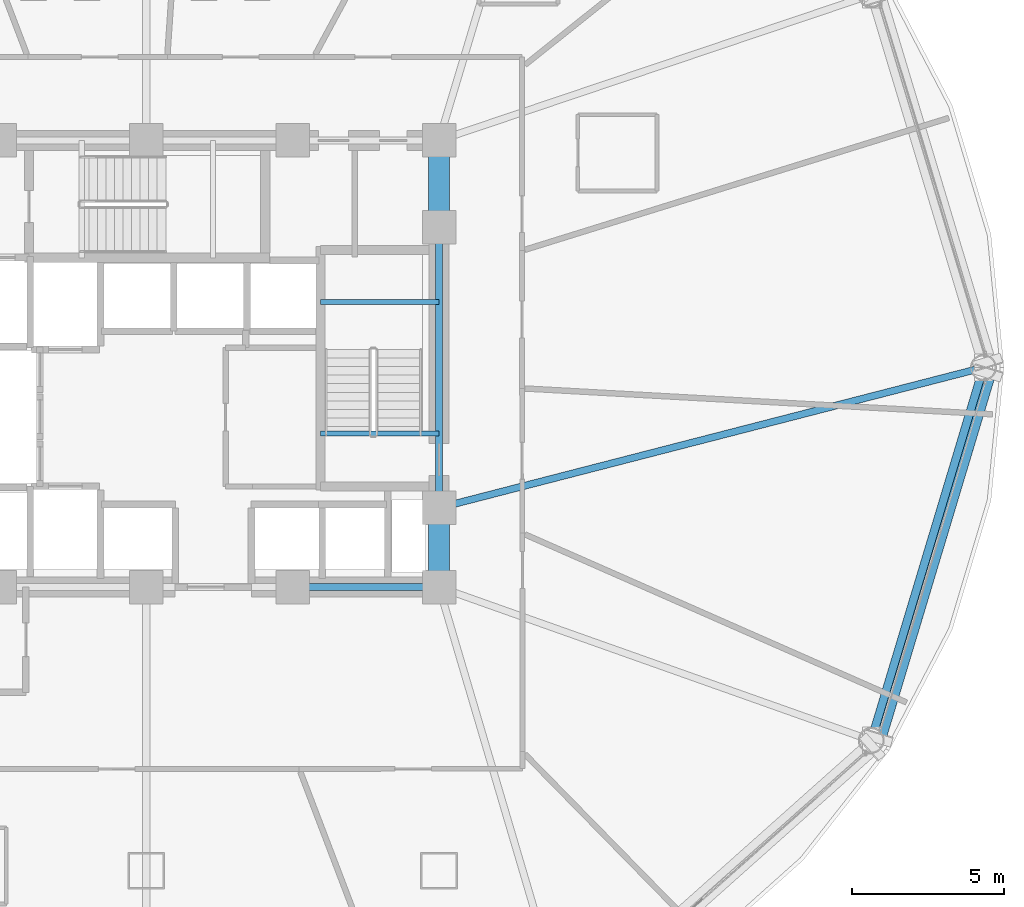
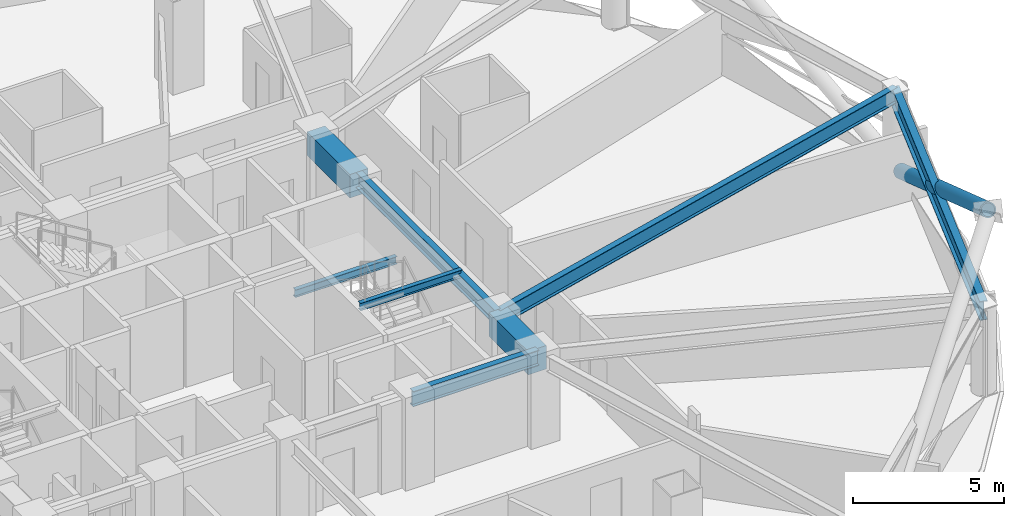
# One storey, part 11 of 30: 8 beams, 1 member.
"""IFC4 building model written with IfcOpenShell, lengths in metres."""

from ifc_helpers import new_model, si_unit, direction, frame, origin, origin_2d, place, context, subcontext, project, spatial, rectangle, hollow_circle, i_section, extrude, material, material_profile, profile_set, type_object, element, save


model = new_model("IFC4")

# Units and contexts
model_context = context("Model", 3, precision=1e-05, world=origin(), true_north=direction((0.0, 1.0)))
body_context = subcontext(model_context, "Body", "Model", "MODEL_VIEW")
ifc_project = project(units=[si_unit("LENGTHUNIT", "METRE"), si_unit("AREAUNIT", "SQUARE_METRE"), si_unit("VOLUMEUNIT", "CUBIC_METRE"), si_unit("PLANEANGLEUNIT", "RADIAN"), si_unit("MASSUNIT", "GRAM", prefix="KILO")], contexts=[model_context])

# Site, building, storey
site_placement = place(None, origin())
site = spatial("IfcSite", under=ifc_project, at=site_placement, CompositionType="ELEMENT")
building_placement = place(site_placement, origin())
building = spatial("IfcBuilding", under=site, at=building_placement, Name="Vantalir Tower", CompositionType="ELEMENT")
storey_placement = place(building_placement, frame((0.0, 0.0, 57.0)))
storey = spatial("IfcBuildingStorey", under=building, at=storey_placement, Name="L13", CompositionType="ELEMENT", Elevation=57.0)

# Beams
ifc_material_1 = material(Name="Concrete C60/75", Category="concrete")
ifc_material_profile_1 = material_profile(ifc_material_1, rectangle(XDim=0.699951171875, YDim=0.949951171875, at=origin_2d()), Name="Concrete C60/75")
ifc_profile_set_1 = profile_set([ifc_material_profile_1], Name="Concrete C60/75")
beam_type_1 = type_object("IfcBeamType", Name="BM-CB-700x950", PredefinedType="USERDEFINED", material=ifc_profile_set_1)
beam_1_placement = place(storey_placement, frame((41.10009765625, 17.800048828125, 3.094970703125), z_axis=(0.0, 1.0, 0.0), x_axis=(-1.0, 0.0, 0.0)))
element("IfcBeam", 1, at=beam_1_placement, inside=storey, type_object=beam_type_1, Name="L13 Core Coupling Girder 05", ObjectType="GIRDER", PredefinedType="USERDEFINED", context=body_context, shape_type="SweptSolid", body=[
    extrude(rectangle(XDim=0.699951171875, YDim=0.949951171875, at=origin_2d()), origin(), (0.0, 0.0, 1.0), 2.599853515625),
])
beam_2_placement = place(storey_placement, frame((41.10009765625, 29.60009765625, 3.094970703125), z_axis=(0.0, 1.0, 0.0), x_axis=(-1.0, 0.0, 0.0)))
element("IfcBeam", 2, at=beam_2_placement, inside=storey, type_object=beam_type_1, Name="L13 Core Coupling Girder 07", ObjectType="GIRDER", PredefinedType="USERDEFINED", context=body_context, shape_type="SweptSolid", body=[
    extrude(rectangle(XDim=0.699951171875, YDim=0.949951171875, at=origin_2d()), origin(), (0.0, 0.0, 1.0), 2.849853515625),
])
ifc_material_2 = material(Name="Steel S355", Category="steel")
ifc_material_profile_2 = material_profile(ifc_material_2, i_section(OverallWidth=0.166015625, OverallDepth=0.306884765625, WebThickness=0.006591796875, FlangeThickness=0.01171875, at=origin_2d()), Name="Steel S355")
ifc_profile_set_2 = profile_set([ifc_material_profile_2], Name="Steel S355")
beam_type_2 = type_object("IfcBeamType", Name="BM-JS-305x165", PredefinedType="JOIST", material=ifc_profile_set_2)
for number, where, z_axis, x_axis, name in (
    (3, (37.2099609375, 22.8349609375, 3.595947265625), (1.0, 0.0, 0.0), (0.0, 1.0, 0.0), "L14 Stair ST2 Well Nosing Trimmer Beam"),
    (4, (37.2099609375, 27.14501953125, 1.52099609375), (1.0, 0.0, 0.0), (0.0, 1.0, 0.0), "L13 Stair ST2 Half-Landing Support Beam"),
):
    element("IfcBeam", number, at=place(storey_placement, frame(where, z_axis=z_axis, x_axis=x_axis)), inside=storey, type_object=beam_type_2, Name=name, PredefinedType="JOIST", context=body_context, shape_type="SweptSolid", body=[
        extrude(i_section(OverallWidth=0.166015625, OverallDepth=0.306884765625, WebThickness=0.006591796875, FlangeThickness=0.01171875, at=origin_2d()), origin(), (0.0, 0.0, 1.0), 3.89013671875),
    ])
ifc_material_profile_3 = material_profile(ifc_material_2, i_section(OverallWidth=0.22998046875, OverallDepth=0.616943359375, WebThickness=0.01318359375, FlangeThickness=0.022216796875, at=origin_2d()), Name="Steel S355")
ifc_profile_set_3 = profile_set([ifc_material_profile_3], Name="Steel S355")
beam_type_3 = type_object("IfcBeamType", Name="BM-RB-610x229", PredefinedType="BEAM", material=ifc_profile_set_3)
beam_3_placement = place(storey_placement, frame((36.300048828125, 17.800048828125, 3.261962890625), z_axis=(1.0, 0.0, 0.0), x_axis=(0.0, 1.0, 0.0)))
element("IfcBeam", 5, at=beam_3_placement, inside=storey, type_object=beam_type_3, Name="L13 Core Coupling Girder 04", PredefinedType="BEAM", context=body_context, shape_type="SweptSolid", body=[
    extrude(i_section(OverallWidth=0.22998046875, OverallDepth=0.616943359375, WebThickness=0.01318359375, FlangeThickness=0.022216796875, at=origin_2d()), origin(), (0.0, 0.0, 1.0), 4.800048828125),
])
beam_4_placement = place(storey_placement, frame((41.10009765625, 20.39990234375, 3.261962890625), z_axis=(0.0, 1.0, 0.0), x_axis=(-1.0, 0.0, 0.0)))
element("IfcBeam", 6, at=beam_4_placement, inside=storey, type_object=beam_type_3, Name="L13 Core Coupling Girder 06", PredefinedType="BEAM", context=body_context, shape_type="SweptSolid", body=[
    extrude(i_section(OverallWidth=0.22998046875, OverallDepth=0.616943359375, WebThickness=0.01318359375, FlangeThickness=0.022216796875, at=origin_2d()), origin(), (0.0, 0.0, 1.0), 9.2001953125),
])
beam_5_placement = place(storey_placement, frame((58.950927734375, 25.0, 3.261962890625), z_axis=(-0.968363475004, -0.249543944582, 0.0), x_axis=(0.249543944582, -0.968363475004, 0.0)))
element("IfcBeam", 7, at=beam_5_placement, inside=storey, type_object=beam_type_3, Name="L13 Radial Floor Beam 01", PredefinedType="BEAM", context=body_context, shape_type="SweptSolid", body=[
    extrude(i_section(OverallWidth=0.22998046875, OverallDepth=0.616943359375, WebThickness=0.01318359375, FlangeThickness=0.022216796875, at=origin_2d()), origin(), (0.0, 0.0, 1.0), 18.43408203125),
])
ifc_material_3 = material(Name="Steel S460", Category="steel")
ifc_material_profile_4 = material_profile(ifc_material_3, i_section(OverallWidth=0.26806640625, OverallDepth=0.77001953125, WebThickness=0.015625, FlangeThickness=0.025390625, at=origin_2d()), Name="Steel S460")
ifc_profile_set_4 = profile_set([ifc_material_profile_4], Name="Steel S460")
beam_type_4 = type_object("IfcBeamType", Name="BM-RG-762x267", PredefinedType="USERDEFINED", material=ifc_profile_set_4)
beam_6_placement = place(storey_placement, frame((55.27294921875, 12.77392578125, 3.18505859375), z_axis=(0.288077607768, 0.957607065504, 0.0), x_axis=(-0.957607065504, 0.288077607768, 0.0)))
element("IfcBeam", 8, at=beam_6_placement, inside=storey, type_object=beam_type_4, Name="L13 Circumferential Ring Girder 12", ObjectType="GIRDER", PredefinedType="USERDEFINED", context=body_context, shape_type="SweptSolid", body=[
    extrude(i_section(OverallWidth=0.26806640625, OverallDepth=0.77001953125, WebThickness=0.015625, FlangeThickness=0.025390625, at=origin_2d()), origin(), (0.0, 0.0, 1.0), 12.767333984375),
])

# Member
ifc_material_profile_5 = material_profile(ifc_material_3, hollow_circle(Radius=0.27001953125, WallThickness=0.044921875, at=origin_2d()), Name="Steel S460")
ifc_profile_set_5 = profile_set([ifc_material_profile_5], Name="Steel S460")
member_type = type_object("IfcMemberType", Name="MEM-DB-540x45", PredefinedType="BRACE", material=ifc_profile_set_5)
member_placement = place(storey_placement, frame((59.0859375, 24.81591796875, 0.18701171875), z_axis=(-0.251543868713, -0.836810237706, 0.486286240997), x_axis=(0.957668399752, -0.287873646095, 0.0)))
element("IfcMember", 9, at=member_placement, inside=storey, type_object=member_type, Name="L13 Perimeter S460 Diagrid Brace R01R", PredefinedType="BRACE", context=body_context, shape_type="SweptSolid", body=[
    extrude(hollow_circle(Radius=0.27001953125, WallThickness=0.044921875, at=origin_2d()), origin(), (0.0, 0.0, 1.0), 14.283935546875),
])

save(model, "model.ifc")
